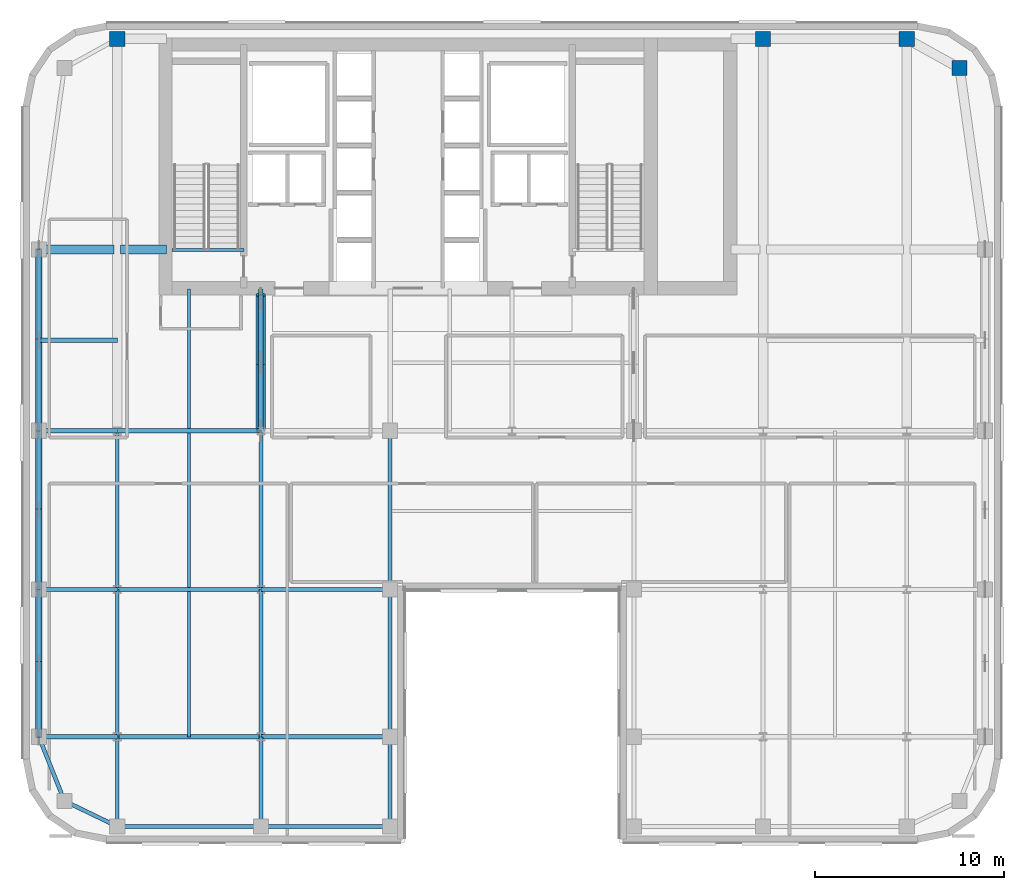
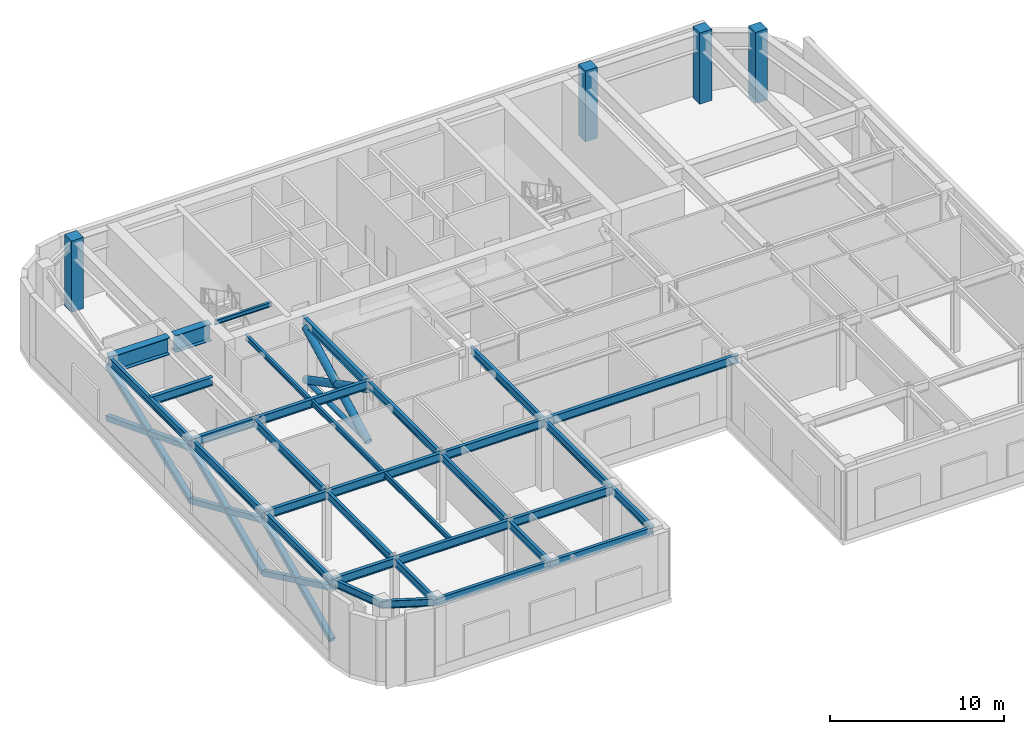
# One storey, part 2 of 12: 33 beams, 13 members, 4 columns.
"""IFC4 building model written with IfcOpenShell, lengths in metres."""

import ifcopenshell
import ifcopenshell.guid

model = None  # the IFC model being written
_history = None  # IfcOwnerHistory: only IFC2X3 demands one
_inside = {}  # id of a spatial element -> (the spatial element, [elements in it])
_under = {}  # id of a project, library or spatial element -> (it, [spatial elements below it])
_declared = {}  # id of a project -> (the project, [libraries it declares])
_typed = {}  # id of a type object -> (the type object, [elements of that type])
_made_of = {}  # id of a material, layer set ... -> (it, [elements and type objects made of it])


def new_model(schema):
    """Start an empty IFC model of exactly this schema.

    Asked for "IFC4X3", IfcOpenShell would pick the latest addendum, in which some entities
    have other attributes; the version numbers below select the first issue.
    IFC2X3 requires an IfcOwnerHistory on every rooted entity: one is made here for all.
    """
    global model, _history
    if schema == "IFC4X3":
        model = ifcopenshell.file(schema_version=(4, 3, 0, 0))
    else:
        model = ifcopenshell.file(schema=schema)
    _inside.clear()
    _under.clear()
    _declared.clear()
    _typed.clear()
    _made_of.clear()
    _history = None
    if model.schema == "IFC2X3":
        org = make("IfcOrganization", Name="unknown")
        user = make(
            "IfcPersonAndOrganization",
            ThePerson=make("IfcPerson", FamilyName="unknown"),
            TheOrganization=org,
        )
        app = make(
            "IfcApplication",
            ApplicationDeveloper=org,
            Version="unknown",
            ApplicationFullName="unknown",
            ApplicationIdentifier="unknown",
        )
        _history = make(
            "IfcOwnerHistory",
            OwningUser=user,
            OwningApplication=app,
            ChangeAction="ADDED",
            CreationDate=0,
        )
    return model


def make(cls, **values):
    """One entity of the class cls with the attributes given. An attribute that is None is left unset."""
    return model.create_entity(
        cls, **{name: value for name, value in values.items() if value is not None}
    )


def rooted(cls, **values):
    """An entity with a GlobalId (a new one), such as an element, a storey or a relation."""
    return make(cls, GlobalId=ifcopenshell.guid.new(), OwnerHistory=_history, **values)


def si_unit(unit_type, name, prefix=None):
    """IfcSIUnit, for example si_unit("LENGTHUNIT", "METRE", prefix="MILLI")."""
    return make("IfcSIUnit", UnitType=unit_type, Prefix=prefix, Name=name)


def assignment(units):
    """IfcUnitAssignment: the units of a project."""
    return None if units is None else make("IfcUnitAssignment", Units=units)


def point(xyz):
    """IfcCartesianPoint."""
    return None if xyz is None else make("IfcCartesianPoint", Coordinates=xyz)


def direction(xyz):
    """IfcDirection."""
    return None if xyz is None else make("IfcDirection", DirectionRatios=xyz)


def frame(location, z_axis=None, x_axis=None):
    """IfcAxis2Placement3D, a coordinate frame: its origin and axes. An axis left out is left unset."""
    return make(
        "IfcAxis2Placement3D",
        Location=point(location),
        Axis=direction(z_axis),
        RefDirection=direction(x_axis),
    )


def frame_2d(location, x_axis=None):
    """IfcAxis2Placement2D, a coordinate frame in the plane: its origin and x axis."""
    return make(
        "IfcAxis2Placement2D", Location=point(location), RefDirection=direction(x_axis)
    )


def origin():
    """The frame at (0, 0, 0) with its axes left unset."""
    return frame((0.0, 0.0, 0.0))


def origin_2d():
    """The frame at (0, 0) in the plane with its x axis left unset."""
    return frame_2d((0.0, 0.0))


def place(relative_to, where):
    """IfcLocalPlacement: puts the frame where relative to a parent placement (None: the world)."""
    return make(
        "IfcLocalPlacement", PlacementRelTo=relative_to, RelativePlacement=where
    )


def context(
    kind, dimensions, precision=None, world=None, true_north=None, identifier=None
):
    """IfcGeometricRepresentationContext, for example the 3D "Model" context."""
    return make(
        "IfcGeometricRepresentationContext",
        ContextIdentifier=identifier,
        ContextType=kind,
        CoordinateSpaceDimension=dimensions,
        Precision=precision,
        WorldCoordinateSystem=world,
        TrueNorth=true_north,
    )


def subcontext(parent, identifier, kind, view, scale=None):
    """IfcGeometricRepresentationSubContext, for example "Body" below "Model"."""
    return make(
        "IfcGeometricRepresentationSubContext",
        ContextIdentifier=identifier,
        ContextType=kind,
        ParentContext=parent,
        TargetScale=scale,
        TargetView=view,
    )


def project(units=None, contexts=None):
    """IfcProject with its units and contexts."""
    return rooted(
        "IfcProject",
        Name="project",
        RepresentationContexts=contexts,
        UnitsInContext=assignment(units),
    )


def spatial(cls, under=None, at=None, **own):
    """A site, building, storey or space (cls), placed at a placement, below another one or the project."""
    s = rooted(cls, ObjectPlacement=at, **own)
    if under is not None:
        _under.setdefault(under.id(), (under, []))[1].append(s)
    return s


def profile(cls, at=None, kind="AREA", **sizes):
    """A parametric profile (cls). Its sizes go by their IFC names, for example OverallWidth=200.0."""
    return make(cls, ProfileType=kind, Position=at, **sizes)


def rectangle(**sizes):
    """IfcRectangleProfileDef."""
    return profile("IfcRectangleProfileDef", **sizes)


def hollow_rectangle(**sizes):
    """IfcRectangleHollowProfileDef."""
    return profile("IfcRectangleHollowProfileDef", **sizes)


def hollow_circle(**sizes):
    """IfcCircleHollowProfileDef."""
    return profile("IfcCircleHollowProfileDef", **sizes)


def i_section(**sizes):
    """IfcIShapeProfileDef."""
    return profile("IfcIShapeProfileDef", **sizes)


def extrude(swept, where, along, depth):
    """IfcExtrudedAreaSolid: the profile swept, set in the frame where, extruded along a direction by depth."""
    return make(
        "IfcExtrudedAreaSolid",
        SweptArea=swept,
        Position=where,
        ExtrudedDirection=direction(along),
        Depth=depth,
    )


def shape(context_of_items, identifier, shape_type, items):
    """IfcShapeRepresentation: the items that make up one representation, for example the "Body"."""
    return make(
        "IfcShapeRepresentation",
        ContextOfItems=context_of_items,
        RepresentationIdentifier=identifier,
        RepresentationType=shape_type,
        Items=items,
    )


def source(mapping_origin, context_of_items, identifier, shape_type, items):
    """IfcRepresentationMap: a shape defined once, which mapped items show again and again."""
    return make(
        "IfcRepresentationMap",
        MappingOrigin=mapping_origin,
        MappedRepresentation=shape(context_of_items, identifier, shape_type, items),
    )


def transform(
    local_origin,
    x_axis=None,
    y_axis=None,
    z_axis=None,
    scale=None,
    scale2=None,
    scale3=None,
    uniform=True,
):
    """IfcCartesianTransformationOperator3D, or its non-uniform kind. x_axis, y_axis, z_axis: its Axis1, 2, 3."""
    if uniform:
        return make(
            "IfcCartesianTransformationOperator3D",
            Axis1=direction(x_axis),
            Axis2=direction(y_axis),
            LocalOrigin=point(local_origin),
            Scale=scale,
            Axis3=direction(z_axis),
        )
    return make(
        "IfcCartesianTransformationOperator3DnonUniform",
        Axis1=direction(x_axis),
        Axis2=direction(y_axis),
        LocalOrigin=point(local_origin),
        Scale=scale,
        Axis3=direction(z_axis),
        Scale2=scale2,
        Scale3=scale3,
    )


def mapped(mapping_source, mapping_target):
    """IfcMappedItem: shows the shape of a source again, moved by a transform."""
    return make(
        "IfcMappedItem", MappingSource=mapping_source, MappingTarget=mapping_target
    )


def material(Name=None, Category=None):
    """IfcMaterial."""
    return make("IfcMaterial", Name=Name, Category=Category)


def material_profile(
    of_material, cross_section, Name=None, Category=None, Priority=None
):
    """IfcMaterialProfile: a cross section and its material."""
    return make(
        "IfcMaterialProfile",
        Name=Name,
        Material=of_material,
        Profile=cross_section,
        Priority=Priority,
        Category=Category,
    )


def profile_set(profiles, Name=None, composite=None):
    """IfcMaterialProfileSet."""
    return make(
        "IfcMaterialProfileSet",
        Name=Name,
        MaterialProfiles=profiles,
        CompositeProfile=composite,
    )


def made_of(thing, what):
    """Note that an element or type object is made of a material, layer set ...; save() writes the relation."""
    if what is not None:
        _made_of.setdefault(what.id(), (what, []))[1].append(thing)
    return thing


def type_object(cls, material=None, **own):
    """A type object (cls), such as IfcWallType, which elements share."""
    return made_of(rooted(cls, **own), material)


def type_shapes(of_type, sources):
    """Give a type object the sources (RepresentationMaps) that its elements show as mapped items."""
    of_type.RepresentationMaps = sources


def element(
    cls,
    number,
    at=None,
    inside=None,
    cuts=None,
    type_object=None,
    material=None,
    context=None,
    identifier="Body",
    shape_type=None,
    held_by="IfcProductDefinitionShape",
    body=None,
    shapes=None,
    **own,
):
    """One element of the class cls, such as IfcWall. Its Tag is "e" and its number.

    at: its placement. inside: the storey or other place that contains it. cuts: it is an
    opening in that element (IfcRelVoidsElement). A single representation is given by context,
    identifier, shape_type and body (its items); several are given by shapes. held_by: the class
    of the entity that holds the representations. save() writes the other relations.
    """
    e = rooted(cls, Tag="e%d" % number, ObjectPlacement=at, **own)
    if body is not None:
        shapes = [shape(context, identifier, shape_type, body)]
    if shapes is not None:
        e.Representation = make(held_by, Representations=shapes)
    if inside is not None:
        _inside.setdefault(inside.id(), (inside, []))[1].append(e)
    if cuts is not None:
        rooted(
            "IfcRelVoidsElement", RelatingBuildingElement=cuts, RelatedOpeningElement=e
        )
    if type_object is not None:
        _typed.setdefault(type_object.id(), (type_object, []))[1].append(e)
    return made_of(e, material)


def aggregate(whole, parts):
    """IfcRelAggregates: a whole, such as a stair, and the parts it consists of."""
    return rooted("IfcRelAggregates", RelatingObject=whole, RelatedObjects=parts)


def save(model, path):
    """Write the relations noted so far, then the file.

    IfcRelAggregates (storeys below a building ...), IfcRelContainedInSpatialStructure (elements
    in a storey), IfcRelDefinesByType, IfcRelAssociatesMaterial and IfcRelDeclares: one each for
    every whole, place, type object, material and project.
    """
    for whole, parts in _under.values():
        aggregate(whole, parts)
    for where, things in _inside.values():
        rooted(
            "IfcRelContainedInSpatialStructure",
            RelatedElements=things,
            RelatingStructure=where,
        )
    for kind, things in _typed.values():
        rooted("IfcRelDefinesByType", RelatedObjects=things, RelatingType=kind)
    for what, things in _made_of.values():
        rooted("IfcRelAssociatesMaterial", RelatedObjects=things, RelatingMaterial=what)
    for by, libraries in _declared.values():
        rooted("IfcRelDeclares", RelatingContext=by, RelatedDefinitions=libraries)
    model.write(path)


model = new_model("IFC4")

# Units and contexts
model_context = context("Model", 3, precision=1e-05, world=origin(), true_north=direction((0.0, 1.0)))
body_context = subcontext(model_context, "Body", "Model", "MODEL_VIEW")
ifc_project = project(units=[si_unit("LENGTHUNIT", "METRE"), si_unit("AREAUNIT", "SQUARE_METRE"), si_unit("VOLUMEUNIT", "CUBIC_METRE"), si_unit("PLANEANGLEUNIT", "RADIAN"), si_unit("MASSUNIT", "GRAM", prefix="KILO")], contexts=[model_context])

# Site, building, storey
site_placement = place(None, origin())
site = spatial("IfcSite", under=ifc_project, at=site_placement, CompositionType="ELEMENT")
building_placement = place(site_placement, origin())
building = spatial("IfcBuilding", under=site, at=building_placement, Name="Tolvann Quenvar Hotel", CompositionType="ELEMENT")
storey_placement = place(building_placement, frame((0.0, 0.0, 182.550048828125)))
storey = spatial("IfcBuildingStorey", under=building, at=storey_placement, Name="L48", CompositionType="ELEMENT", Elevation=182.550048828125)

# Columns
ifc_material_1 = material(Name="Concrete N50 (50 MPa)", Category="concrete")
ifc_material_profile_1 = material_profile(ifc_material_1, rectangle(XDim=0.800048828125, YDim=0.800048828125, at=origin_2d()), Name="RC800x800")
ifc_profile_set_1 = profile_set([ifc_material_profile_1], Name="Concrete N50 (50 MPa)")
column_type = type_object("IfcColumnType", Name="COL_RC800", PredefinedType="COLUMN", material=ifc_profile_set_1)
shared_shape_1 = source(origin(), body_context, "Body", "SweptSolid", [
    extrude(rectangle(XDim=0.800048828125, YDim=0.800048828125, at=origin_2d()), origin(), (0.0, 0.0, 1.0), 5.0),
])
type_shapes(column_type, [shared_shape_1])
for number, where, z_axis, x_axis, name in (
    (1, (7.60009765625, 45.14990234375, 0.0), (0.0, 0.0, 1.0), (1.0, 0.0, 0.0), "Column CN (L48)"),
    (2, (41.800048828125, 45.14990234375, 0.0), (0.0, 0.0, 1.0), (1.0, 0.0, 0.0), "Column HN (L48)"),
    (3, (49.39990234375, 45.14990234375, 0.0), (0.0, 0.0, 1.0), (1.0, 0.0, 0.0), "Column IN (L48)"),
    (4, (52.199951171875, 43.60009765625, 0.0), (0.0, 0.0, 1.0), (1.0, 0.0, 0.0), "Column JN (L48)"),
):
    element("IfcColumn", number, at=place(storey_placement, frame(where, z_axis=z_axis, x_axis=x_axis)), inside=storey, type_object=column_type, Name=name, PredefinedType="COLUMN", context=body_context, shape_type="MappedRepresentation", body=[
        mapped(shared_shape_1, transform((0.0, 0.0, 0.0), x_axis=(1.0, 0.0, 0.0), y_axis=(0.0, 1.0, 0.0), z_axis=(0.0, 0.0, 1.0), scale=1.0)),
    ])

# Beams
ifc_material_2 = material(Name="Steel Grade 350", Category="steel")
ifc_material_profile_2 = material_profile(ifc_material_2, i_section(OverallWidth=0.208984375, OverallDepth=0.528076171875, WebThickness=0.009521484375, FlangeThickness=0.01318359375, FilletRadius=0.013916015625, at=origin_2d()), Name="530UB82")
ifc_profile_set_2 = profile_set([ifc_material_profile_2], Name="Steel Grade 350")
beam_type_1 = type_object("IfcBeamType", Name="BM_SPAND_530UB82", PredefinedType="SPANDREL", material=ifc_profile_set_2)
shared_shape_2 = source(origin(), body_context, "Body", "SweptSolid", [
    extrude(i_section(OverallWidth=0.208984375, OverallDepth=0.528076171875, WebThickness=0.009521484375, FlangeThickness=0.01318359375, FilletRadius=0.013916015625, at=origin_2d()), origin(), (0.0, 0.0, 1.0), 7.599853515625),
])
beam_1_placement = place(storey_placement, frame((7.60009765625, 3.449951171875, 4.555908203125), z_axis=(1.0, 0.0, 0.0), x_axis=(0.0, 1.0, 0.0)))
element("IfcBeam", 5, at=beam_1_placement, inside=storey, type_object=beam_type_1, Name="BM-L48-EW-2-C2-D2", PredefinedType="SPANDREL", context=body_context, shape_type="MappedRepresentation", body=[
    mapped(shared_shape_2, transform((0.0, 0.0, 0.0), x_axis=(1.0, 0.0, 0.0), y_axis=(0.0, 1.0, 0.0), z_axis=(0.0, 0.0, 1.0), scale=1.0)),
])
shared_shape_3 = source(origin(), body_context, "Body", "SweptSolid", [
    extrude(i_section(OverallWidth=0.208984375, OverallDepth=0.528076171875, WebThickness=0.009521484375, FlangeThickness=0.01318359375, FilletRadius=0.013916015625, at=origin_2d()), origin(), (0.0, 0.0, 1.0), 6.85009765625),
])
beam_2_placement = place(storey_placement, frame((15.199951171875, 3.449951171875, 4.555908203125), z_axis=(1.0, 0.0, 0.0), x_axis=(0.0, 1.0, 0.0)))
element("IfcBeam", 6, at=beam_2_placement, inside=storey, type_object=beam_type_1, Name="BM-L48-EW-2-D2-E2", PredefinedType="SPANDREL", context=body_context, shape_type="MappedRepresentation", body=[
    mapped(shared_shape_3, transform((0.0, 0.0, 0.0), x_axis=(1.0, 0.0, 0.0), y_axis=(0.0, 1.0, 0.0), z_axis=(0.0, 0.0, 1.0), scale=1.0)),
])
shared_shape_4 = source(origin(), body_context, "Body", "SweptSolid", [
    extrude(i_section(OverallWidth=0.208984375, OverallDepth=0.528076171875, WebThickness=0.009521484375, FlangeThickness=0.01318359375, FilletRadius=0.013916015625, at=origin_2d()), origin(), (0.0, 0.0, 1.0), 7.800048828125),
])
beam_3_placement = place(storey_placement, frame((3.449951171875, 8.199951171875, 4.555908203125), z_axis=(0.0, 1.0, 0.0), x_axis=(-1.0, 0.0, 0.0)))
element("IfcBeam", 7, at=beam_3_placement, inside=storey, type_object=beam_type_1, Name="BM-L48-NS-B3-B4", PredefinedType="SPANDREL", context=body_context, shape_type="MappedRepresentation", body=[
    mapped(shared_shape_4, transform((0.0, 0.0, 0.0), x_axis=(1.0, 0.0, 0.0), y_axis=(0.0, 1.0, 0.0), z_axis=(0.0, 0.0, 1.0), scale=1.0)),
])
shared_shape_5 = source(origin(), body_context, "Body", "SweptSolid", [
    extrude(i_section(OverallWidth=0.208984375, OverallDepth=0.528076171875, WebThickness=0.009521484375, FlangeThickness=0.01318359375, FilletRadius=0.013916015625, at=origin_2d()), origin(), (0.0, 0.0, 1.0), 8.39990234375),
])
beam_4_placement = place(storey_placement, frame((3.449951171875, 16.0, 4.555908203125), z_axis=(0.0, 1.0, 0.0), x_axis=(-1.0, 0.0, 0.0)))
element("IfcBeam", 8, at=beam_4_placement, inside=storey, type_object=beam_type_1, Name="BM-L48-NS-B4-B5", PredefinedType="SPANDREL", context=body_context, shape_type="MappedRepresentation", body=[
    mapped(shared_shape_5, transform((0.0, 0.0, 0.0), x_axis=(1.0, 0.0, 0.0), y_axis=(0.0, 1.0, 0.0), z_axis=(0.0, 0.0, 1.0), scale=1.0)),
])
ifc_material_profile_3 = material_profile(ifc_material_2, i_section(OverallWidth=0.208984375, OverallDepth=0.532958984375, WebThickness=0.01025390625, FlangeThickness=0.015625, FilletRadius=0.013916015625, at=origin_2d()), Name="530UB92")
ifc_profile_set_3 = profile_set([ifc_material_profile_3], Name="Steel Grade 350")
beam_type_2 = type_object("IfcBeamType", Name="BM_GIRD_530UB92", PredefinedType="BEAM", material=ifc_profile_set_3)
shared_shape_6 = source(origin(), body_context, "Body", "SweptSolid", [
    extrude(i_section(OverallWidth=0.208984375, OverallDepth=0.532958984375, WebThickness=0.01025390625, FlangeThickness=0.015625, FilletRadius=0.013916015625, at=origin_2d()), origin(), (0.0, 0.0, 1.0), 7.800048828125),
])
for number, where, z_axis, x_axis, name in (
    (9, (7.60009765625, 8.199951171875, 4.553466796875), (0.0, 1.0, 0.0), (-1.0, 0.0, 0.0), "BM-L48-NS-C3-C4"),
    (10, (15.199951171875, 8.199951171875, 4.553466796875), (0.0, 1.0, 0.0), (-1.0, 0.0, 0.0), "BM-L48-NS-D3-D4"),
    (11, (22.050048828125, 8.199951171875, 4.553466796875), (0.0, 1.0, 0.0), (-1.0, 0.0, 0.0), "BM-L48-NS-E3-E4"),
):
    element("IfcBeam", number, at=place(storey_placement, frame(where, z_axis=z_axis, x_axis=x_axis)), inside=storey, type_object=beam_type_2, Name=name, PredefinedType="BEAM", context=body_context, shape_type="MappedRepresentation", body=[
        mapped(shared_shape_6, transform((0.0, 0.0, 0.0), x_axis=(1.0, 0.0, 0.0), y_axis=(0.0, 1.0, 0.0), z_axis=(0.0, 0.0, 1.0), scale=1.0)),
    ])
shared_shape_7 = source(origin(), body_context, "Body", "SweptSolid", [
    extrude(i_section(OverallWidth=0.208984375, OverallDepth=0.532958984375, WebThickness=0.01025390625, FlangeThickness=0.015625, FilletRadius=0.013916015625, at=origin_2d()), origin(), (0.0, 0.0, 1.0), 8.39990234375),
])
for number, where, z_axis, x_axis, name in (
    (12, (7.60009765625, 16.0, 4.553466796875), (0.0, 1.0, 0.0), (-1.0, 0.0, 0.0), "BM-L48-NS-C4-C5"),
    (13, (15.199951171875, 16.0, 4.553466796875), (0.0, 1.0, 0.0), (-1.0, 0.0, 0.0), "BM-L48-NS-D4-D5"),
    (14, (22.050048828125, 16.0, 4.553466796875), (0.0, 1.0, 0.0), (-1.0, 0.0, 0.0), "BM-L48-NS-E4-E5"),
):
    element("IfcBeam", number, at=place(storey_placement, frame(where, z_axis=z_axis, x_axis=x_axis)), inside=storey, type_object=beam_type_2, Name=name, PredefinedType="BEAM", context=body_context, shape_type="MappedRepresentation", body=[
        mapped(shared_shape_7, transform((0.0, 0.0, 0.0), x_axis=(1.0, 0.0, 0.0), y_axis=(0.0, 1.0, 0.0), z_axis=(0.0, 0.0, 1.0), scale=1.0)),
    ])
shared_shape_8 = source(origin(), body_context, "Body", "SweptSolid", [
    extrude(i_section(OverallWidth=0.208984375, OverallDepth=0.528076171875, WebThickness=0.009521484375, FlangeThickness=0.01318359375, FilletRadius=0.013916015625, at=origin_2d()), origin(), (0.0, 0.0, 1.0), 9.60009765625),
])
beam_5_placement = place(storey_placement, frame((3.449951171875, 24.39990234375, 4.555908203125), z_axis=(0.0, 1.0, 0.0), x_axis=(-1.0, 0.0, 0.0)))
element("IfcBeam", 15, at=beam_5_placement, inside=storey, type_object=beam_type_1, Name="BM-L48-FLK-W1", PredefinedType="SPANDREL", context=body_context, shape_type="MappedRepresentation", body=[
    mapped(shared_shape_8, transform((0.0, 0.0, 0.0), x_axis=(1.0, 0.0, 0.0), y_axis=(0.0, 1.0, 0.0), z_axis=(0.0, 0.0, 1.0), scale=1.0)),
])
ifc_material_profile_4 = material_profile(ifc_material_2, i_section(OverallWidth=0.5, OverallDepth=1.199951171875, WebThickness=0.01611328125, FlangeThickness=0.0400390625, at=origin_2d()), Name="1200WB455")
ifc_profile_set_4 = profile_set([ifc_material_profile_4], Name="Steel Grade 350")
beam_type_3 = type_object("IfcBeamType", Name="BM_TG_1200WB455", PredefinedType="USERDEFINED", material=ifc_profile_set_4)
shared_shape_9 = source(origin(), body_context, "Body", "SweptSolid", [
    extrude(i_section(OverallWidth=0.5, OverallDepth=1.199951171875, WebThickness=0.01611328125, FlangeThickness=0.0400390625, at=origin_2d()), origin(), (0.0, 0.0, 1.0), 2.419921875),
])
beam_6_placement = place(storey_placement, frame((7.780029296875, 34.0, 4.219970703125), z_axis=(1.0, 0.0, 0.0), x_axis=(0.0, 1.0, 0.0)))
element("IfcBeam", 16, at=beam_6_placement, inside=storey, type_object=beam_type_3, Name="BM-L48-CTW-MID2", ObjectType="TRANSFER GIRDER", PredefinedType="USERDEFINED", context=body_context, shape_type="MappedRepresentation", body=[
    mapped(shared_shape_9, transform((0.0, 0.0, 0.0), x_axis=(1.0, 0.0, 0.0), y_axis=(0.0, 1.0, 0.0), z_axis=(0.0, 0.0, 1.0), scale=1.0)),
])
ifc_material_profile_5 = material_profile(ifc_material_2, i_section(OverallWidth=0.166015625, OverallDepth=0.306884765625, WebThickness=0.006591796875, FlangeThickness=0.01171875, FilletRadius=0.011474609375, at=origin_2d()), Name="310UB46")
ifc_profile_set_5 = profile_set([ifc_material_profile_5], Name="Steel Grade 350")
beam_type_4 = type_object("IfcBeamType", Name="BM_JOIST_310UB46", PredefinedType="JOIST", material=ifc_profile_set_5)
shared_shape_10 = source(origin(), body_context, "Body", "SweptSolid", [
    extrude(i_section(OverallWidth=0.166015625, OverallDepth=0.306884765625, WebThickness=0.006591796875, FlangeThickness=0.01171875, FilletRadius=0.011474609375, at=origin_2d()), origin(), (0.0, 0.0, 1.0), 3.800048828125),
])
type_shapes(beam_type_4, [shared_shape_10])
beam_7_placement = place(storey_placement, frame((10.5, 33.97998046875, 4.66650390625), z_axis=(1.0, 0.0, 0.0), x_axis=(0.0, 1.0, 0.0)))
element("IfcBeam", 17, at=beam_7_placement, inside=storey, type_object=beam_type_4, Name="BM-HDR-STC1-L49", PredefinedType="JOIST", context=body_context, shape_type="MappedRepresentation", body=[
    mapped(shared_shape_10, transform((0.0, 0.0, 0.0), x_axis=(1.0, 0.0, 0.0), y_axis=(0.0, 1.0, 0.0), z_axis=(0.0, 0.0, 1.0), scale=1.0)),
])

# Members
ifc_material_3 = material(Name="Steel Grade 450 (C450L0)", Category="steel")
ifc_material_profile_6 = material_profile(ifc_material_3, hollow_rectangle(XDim=0.35009765625, YDim=0.35009765625, WallThickness=0.01611328125, at=origin_2d()), Name="350x350x16SHS")
ifc_profile_set_6 = profile_set([ifc_material_profile_6], Name="Steel Grade 450 (C450L0)")
member_type_1 = type_object("IfcMemberType", Name="MEM_BELT_350SHS", PredefinedType="BRACE", material=ifc_profile_set_6)
shared_shape_11 = source(origin(), body_context, "Body", "SweptSolid", [
    extrude(hollow_rectangle(XDim=0.35009765625, YDim=0.35009765625, WallThickness=0.01611328125, at=origin_2d()), origin(), (0.0, 0.0, 1.0), 8.6416015625),
])
member_1_placement = place(storey_placement, frame((3.449951171875, 8.199951171875, 0.449951171875), z_axis=(0.0, 0.902606045466, 0.430467567522), x_axis=(-1.0, 0.0, 0.0)))
element("IfcMember", 18, at=member_1_placement, inside=storey, type_object=member_type_1, Name="Belt Truss Primary Brace L48-W1A", PredefinedType="BRACE", context=body_context, shape_type="MappedRepresentation", body=[
    mapped(shared_shape_11, transform((0.0, 0.0, 0.0), x_axis=(1.0, 0.0, 0.0), y_axis=(0.0, 1.0, 0.0), z_axis=(0.0, 0.0, 1.0), scale=1.0)),
])
shared_shape_12 = source(origin(), body_context, "Body", "SweptSolid", [
    extrude(hollow_rectangle(XDim=0.35009765625, YDim=0.35009765625, WallThickness=0.01611328125, at=origin_2d()), origin(), (0.0, 0.0, 1.0), 4.32080078125),
])
for number, where, z_axis, x_axis, name in (
    (19, (3.449951171875, 16.0, 0.449951171875), (0.0, -0.902589832649, 0.430501560971), (1.0, 0.0, 0.0), "Belt Truss Split Brace Lower L48-W1B1"),
    (20, (3.449951171875, 12.10009765625, 2.31005859375), (0.0, -0.90262225657, 0.430433574369), (1.0, 0.0, 0.0), "Belt Truss Split Brace Upper L48-W1B2"),
):
    element("IfcMember", number, at=place(storey_placement, frame(where, z_axis=z_axis, x_axis=x_axis)), inside=storey, type_object=member_type_1, Name=name, PredefinedType="BRACE", context=body_context, shape_type="MappedRepresentation", body=[
        mapped(shared_shape_12, transform((0.0, 0.0, 0.0), x_axis=(1.0, 0.0, 0.0), y_axis=(0.0, 1.0, 0.0), z_axis=(0.0, 0.0, 1.0), scale=1.0)),
    ])
shared_shape_13 = source(origin(), body_context, "Body", "SweptSolid", [
    extrude(hollow_rectangle(XDim=0.35009765625, YDim=0.35009765625, WallThickness=0.01611328125, at=origin_2d()), origin(), (0.0, 0.0, 1.0), 9.186767578125),
])
member_2_placement = place(storey_placement, frame((3.449951171875, 16.0, 0.449951171875), z_axis=(0.0, 0.914348827398, 0.404927427863), x_axis=(-1.0, 0.0, 0.0)))
element("IfcMember", 21, at=member_2_placement, inside=storey, type_object=member_type_1, Name="Belt Truss Primary Brace L48-W2A", PredefinedType="BRACE", context=body_context, shape_type="MappedRepresentation", body=[
    mapped(shared_shape_13, transform((0.0, 0.0, 0.0), x_axis=(1.0, 0.0, 0.0), y_axis=(0.0, 1.0, 0.0), z_axis=(0.0, 0.0, 1.0), scale=1.0)),
])
shared_shape_14 = source(origin(), body_context, "Body", "SweptSolid", [
    extrude(hollow_rectangle(XDim=0.35009765625, YDim=0.35009765625, WallThickness=0.01611328125, at=origin_2d()), origin(), (0.0, 0.0, 1.0), 4.59326171875),
])
member_3_placement = place(storey_placement, frame((3.449951171875, 20.199951171875, 2.31005859375), z_axis=(0.0, -0.914358666594, 0.404905209679), x_axis=(1.0, 0.0, 0.0)))
element("IfcMember", 22, at=member_3_placement, inside=storey, type_object=member_type_1, Name="Belt Truss Split Brace Upper L48-W2B2", PredefinedType="BRACE", context=body_context, shape_type="MappedRepresentation", body=[
    mapped(shared_shape_14, transform((0.0, 0.0, 0.0), x_axis=(1.0, 0.0, 0.0), y_axis=(0.0, 1.0, 0.0), z_axis=(0.0, 0.0, 1.0), scale=1.0)),
])
shared_shape_15 = source(origin(), body_context, "Body", "SweptSolid", [
    extrude(hollow_rectangle(XDim=0.35009765625, YDim=0.35009765625, WallThickness=0.01611328125, at=origin_2d()), origin(), (0.0, 0.0, 1.0), 4.593505859375),
])
member_4_placement = place(storey_placement, frame((3.449951171875, 24.39990234375, 0.449951171875), z_axis=(0.0, -0.914338987874, 0.40494964533), x_axis=(1.0, 0.0, 0.0)))
element("IfcMember", 23, at=member_4_placement, inside=storey, type_object=member_type_1, Name="Belt Truss Split Brace Lower L48-W2B1", PredefinedType="BRACE", context=body_context, shape_type="MappedRepresentation", body=[
    mapped(shared_shape_15, transform((0.0, 0.0, 0.0), x_axis=(1.0, 0.0, 0.0), y_axis=(0.0, 1.0, 0.0), z_axis=(0.0, 0.0, 1.0), scale=1.0)),
])
shared_shape_16 = source(origin(), body_context, "Body", "SweptSolid", [
    extrude(hollow_rectangle(XDim=0.35009765625, YDim=0.35009765625, WallThickness=0.01611328125, at=origin_2d()), origin(), (0.0, 0.0, 1.0), 10.295654296875),
])
member_5_placement = place(storey_placement, frame((3.449951171875, 24.39990234375, 0.449951171875), z_axis=(0.0, 0.932443662189, 0.361315398016), x_axis=(-1.0, 0.0, 0.0)))
element("IfcMember", 24, at=member_5_placement, inside=storey, type_object=member_type_1, Name="Belt Truss Primary Brace L48-W3A", PredefinedType="BRACE", context=body_context, shape_type="MappedRepresentation", body=[
    mapped(shared_shape_16, transform((0.0, 0.0, 0.0), x_axis=(1.0, 0.0, 0.0), y_axis=(0.0, 1.0, 0.0), z_axis=(0.0, 0.0, 1.0), scale=1.0)),
])
shared_shape_17 = source(origin(), body_context, "Body", "SweptSolid", [
    extrude(hollow_rectangle(XDim=0.35009765625, YDim=0.35009765625, WallThickness=0.01611328125, at=origin_2d()), origin(), (0.0, 0.0, 1.0), 5.147705078125),
])
member_6_placement = place(storey_placement, frame((3.449951171875, 29.199951171875, 2.31005859375), z_axis=(0.0, -0.932451651097, 0.361294780431), x_axis=(1.0, 0.0, 0.0)))
element("IfcMember", 25, at=member_6_placement, inside=storey, type_object=member_type_1, Name="Belt Truss Split Brace Upper L48-W3B2", PredefinedType="BRACE", context=body_context, shape_type="MappedRepresentation", body=[
    mapped(shared_shape_17, transform((0.0, 0.0, 0.0), x_axis=(1.0, 0.0, 0.0), y_axis=(0.0, 1.0, 0.0), z_axis=(0.0, 0.0, 1.0), scale=1.0)),
])
shared_shape_18 = source(origin(), body_context, "Body", "SweptSolid", [
    extrude(hollow_rectangle(XDim=0.35009765625, YDim=0.35009765625, WallThickness=0.01611328125, at=origin_2d()), origin(), (0.0, 0.0, 1.0), 5.14794921875),
])
type_shapes(member_type_1, [shared_shape_11, shared_shape_12, shared_shape_13, shared_shape_14, shared_shape_15, shared_shape_16, shared_shape_17, shared_shape_18])
member_7_placement = place(storey_placement, frame((3.449951171875, 34.0, 0.449951171875), z_axis=(0.0, -0.932435672962, 0.36133601507), x_axis=(1.0, 0.0, 0.0)))
element("IfcMember", 26, at=member_7_placement, inside=storey, type_object=member_type_1, Name="Belt Truss Split Brace Lower L48-W3B1", PredefinedType="BRACE", context=body_context, shape_type="MappedRepresentation", body=[
    mapped(shared_shape_18, transform((0.0, 0.0, 0.0), x_axis=(1.0, 0.0, 0.0), y_axis=(0.0, 1.0, 0.0), z_axis=(0.0, 0.0, 1.0), scale=1.0)),
])

# Beams
shared_shape_19 = source(origin(), body_context, "Body", "SweptSolid", [
    extrude(i_section(OverallWidth=0.5, OverallDepth=1.199951171875, WebThickness=0.01611328125, FlangeThickness=0.0400390625, at=origin_2d()), origin(), (0.0, 0.0, 1.0), 3.969970703125),
])
type_shapes(beam_type_3, [shared_shape_9, shared_shape_19])
beam_8_placement = place(storey_placement, frame((3.449951171875, 34.0, 4.219970703125), z_axis=(1.0, 0.0, 0.0), x_axis=(0.0, 1.0, 0.0)))
element("IfcBeam", 27, at=beam_8_placement, inside=storey, type_object=beam_type_3, Name="BM-L48-CTW-MID1", ObjectType="TRANSFER GIRDER", PredefinedType="USERDEFINED", context=body_context, shape_type="MappedRepresentation", body=[
    mapped(shared_shape_19, transform((0.0, 0.0, 0.0), x_axis=(1.0, 0.0, 0.0), y_axis=(0.0, 1.0, 0.0), z_axis=(0.0, 0.0, 1.0), scale=1.0)),
])
shared_shape_20 = source(origin(), body_context, "Body", "SweptSolid", [
    extrude(i_section(OverallWidth=0.208984375, OverallDepth=0.528076171875, WebThickness=0.009521484375, FlangeThickness=0.01318359375, FilletRadius=0.013916015625, at=origin_2d()), origin(), (0.0, 0.0, 1.0), 3.108642578125),
])
beam_9_placement = place(storey_placement, frame((4.800048828125, 4.800048828125, 4.555908203125), z_axis=(0.900759354066, -0.434318530646, 0.0), x_axis=(0.434318530646, 0.900759354066, 0.0)))
element("IfcBeam", 28, at=beam_9_placement, inside=storey, type_object=beam_type_1, Name="BM-L48-EW-2-B2-C2", PredefinedType="SPANDREL", context=body_context, shape_type="MappedRepresentation", body=[
    mapped(shared_shape_20, transform((0.0, 0.0, 0.0), x_axis=(1.0, 0.0, 0.0), y_axis=(0.0, 1.0, 0.0), z_axis=(0.0, 0.0, 1.0), scale=1.0)),
])
ifc_material_profile_7 = material_profile(ifc_material_2, i_section(OverallWidth=0.22802734375, OverallDepth=0.60205078125, WebThickness=0.010498046875, FlangeThickness=0.014892578125, FilletRadius=0.013916015625, at=origin_2d()), Name="610UB101")
ifc_profile_set_7 = profile_set([ifc_material_profile_7], Name="Steel Grade 350")
beam_type_5 = type_object("IfcBeamType", Name="BM_GIRD_610UB101", PredefinedType="BEAM", material=ifc_profile_set_7)
shared_shape_21 = source(origin(), body_context, "Body", "SweptSolid", [
    extrude(i_section(OverallWidth=0.22802734375, OverallDepth=0.60205078125, WebThickness=0.010498046875, FlangeThickness=0.014892578125, FilletRadius=0.013916015625, at=origin_2d()), origin(), (0.0, 0.0, 1.0), 4.150146484375),
])
for number, where, z_axis, x_axis, name in (
    (29, (3.449951171875, 8.199951171875, 4.51904296875), (1.0, 0.0, 0.0), (0.0, 1.0, 0.0), "BM-L48-EW-3-B3-C3"),
    (30, (3.449951171875, 16.0, 4.51904296875), (1.0, 0.0, 0.0), (0.0, 1.0, 0.0), "BM-L48-EW-4-B4-C4"),
    (31, (3.449951171875, 24.39990234375, 4.51904296875), (1.0, 0.0, 0.0), (0.0, 1.0, 0.0), "BM-L48-EW-5-B5-C5"),
    (32, (3.449951171875, 29.199951171875, 4.51904296875), (1.0, 0.0, 0.0), (0.0, 1.0, 0.0), "BM-L48-EW-BC29"),
):
    element("IfcBeam", number, at=place(storey_placement, frame(where, z_axis=z_axis, x_axis=x_axis)), inside=storey, type_object=beam_type_5, Name=name, PredefinedType="BEAM", context=body_context, shape_type="MappedRepresentation", body=[
        mapped(shared_shape_21, transform((0.0, 0.0, 0.0), x_axis=(1.0, 0.0, 0.0), y_axis=(0.0, 1.0, 0.0), z_axis=(0.0, 0.0, 1.0), scale=1.0)),
    ])
shared_shape_22 = source(origin(), body_context, "Body", "SweptSolid", [
    extrude(i_section(OverallWidth=0.22802734375, OverallDepth=0.60205078125, WebThickness=0.010498046875, FlangeThickness=0.014892578125, FilletRadius=0.013916015625, at=origin_2d()), origin(), (0.0, 0.0, 1.0), 7.599853515625),
])
for number, where, z_axis, x_axis, name in (
    (33, (7.60009765625, 8.199951171875, 4.51904296875), (1.0, 0.0, 0.0), (0.0, 1.0, 0.0), "BM-L48-EW-3-C3-D3"),
    (34, (7.60009765625, 16.0, 4.51904296875), (1.0, 0.0, 0.0), (0.0, 1.0, 0.0), "BM-L48-EW-4-C4-D4"),
    (35, (7.60009765625, 24.39990234375, 4.51904296875), (1.0, 0.0, 0.0), (0.0, 1.0, 0.0), "BM-L48-EW-5-C5-D5"),
):
    element("IfcBeam", number, at=place(storey_placement, frame(where, z_axis=z_axis, x_axis=x_axis)), inside=storey, type_object=beam_type_5, Name=name, PredefinedType="BEAM", context=body_context, shape_type="MappedRepresentation", body=[
        mapped(shared_shape_22, transform((0.0, 0.0, 0.0), x_axis=(1.0, 0.0, 0.0), y_axis=(0.0, 1.0, 0.0), z_axis=(0.0, 0.0, 1.0), scale=1.0)),
    ])
shared_shape_23 = source(origin(), body_context, "Body", "SweptSolid", [
    extrude(i_section(OverallWidth=0.22802734375, OverallDepth=0.60205078125, WebThickness=0.010498046875, FlangeThickness=0.014892578125, FilletRadius=0.013916015625, at=origin_2d()), origin(), (0.0, 0.0, 1.0), 6.85009765625),
])
for number, where, z_axis, x_axis, name in (
    (36, (15.199951171875, 8.199951171875, 4.51904296875), (1.0, 0.0, 0.0), (0.0, 1.0, 0.0), "BM-L48-EW-3-D3-E3"),
    (37, (15.199951171875, 16.0, 4.51904296875), (1.0, 0.0, 0.0), (0.0, 1.0, 0.0), "BM-L48-EW-4-D4-E4"),
):
    element("IfcBeam", number, at=place(storey_placement, frame(where, z_axis=z_axis, x_axis=x_axis)), inside=storey, type_object=beam_type_5, Name=name, PredefinedType="BEAM", context=body_context, shape_type="MappedRepresentation", body=[
        mapped(shared_shape_23, transform((0.0, 0.0, 0.0), x_axis=(1.0, 0.0, 0.0), y_axis=(0.0, 1.0, 0.0), z_axis=(0.0, 0.0, 1.0), scale=1.0)),
    ])
shared_shape_24 = source(origin(), body_context, "Body", "SweptSolid", [
    extrude(i_section(OverallWidth=0.22802734375, OverallDepth=0.60205078125, WebThickness=0.010498046875, FlangeThickness=0.014892578125, FilletRadius=0.013916015625, at=origin_2d()), origin(), (0.0, 0.0, 1.0), 12.89990234375),
])
beam_10_placement = place(storey_placement, frame((22.050048828125, 16.0, 4.51904296875), z_axis=(1.0, 0.0, 0.0), x_axis=(0.0, 1.0, 0.0)))
element("IfcBeam", 38, at=beam_10_placement, inside=storey, type_object=beam_type_5, Name="BM-L48-EW-4-E4-F4", PredefinedType="BEAM", context=body_context, shape_type="MappedRepresentation", body=[
    mapped(shared_shape_24, transform((0.0, 0.0, 0.0), x_axis=(1.0, 0.0, 0.0), y_axis=(0.0, 1.0, 0.0), z_axis=(0.0, 0.0, 1.0), scale=1.0)),
])
shared_shape_25 = source(origin(), body_context, "Body", "SweptSolid", [
    extrude(i_section(OverallWidth=0.208984375, OverallDepth=0.528076171875, WebThickness=0.009521484375, FlangeThickness=0.01318359375, FilletRadius=0.013916015625, at=origin_2d()), origin(), (0.0, 0.0, 1.0), 3.658203125),
])
type_shapes(beam_type_1, [shared_shape_2, shared_shape_3, shared_shape_4, shared_shape_5, shared_shape_8, shared_shape_20, shared_shape_25])
beam_11_placement = place(storey_placement, frame((4.800048828125, 4.800048828125, 4.555908203125), z_axis=(-0.369065163807, 0.929403521009, 0.0), x_axis=(-0.929403521009, -0.369065163807, 0.0)))
element("IfcBeam", 39, at=beam_11_placement, inside=storey, type_object=beam_type_1, Name="BM-L48-NS-B2-B3", PredefinedType="SPANDREL", context=body_context, shape_type="MappedRepresentation", body=[
    mapped(shared_shape_25, transform((0.0, 0.0, 0.0), x_axis=(1.0, 0.0, 0.0), y_axis=(0.0, 1.0, 0.0), z_axis=(0.0, 0.0, 1.0), scale=1.0)),
])
shared_shape_26 = source(origin(), body_context, "Body", "SweptSolid", [
    extrude(i_section(OverallWidth=0.208984375, OverallDepth=0.532958984375, WebThickness=0.01025390625, FlangeThickness=0.015625, FilletRadius=0.013916015625, at=origin_2d()), origin(), (0.0, 0.0, 1.0), 4.75),
])
type_shapes(beam_type_2, [shared_shape_6, shared_shape_7, shared_shape_26])
for number, where, z_axis, x_axis, name in (
    (40, (7.60009765625, 3.449951171875, 4.553466796875), (0.0, 1.0, 0.0), (-1.0, 0.0, 0.0), "BM-L48-NS-C2-C3"),
    (41, (15.199951171875, 3.449951171875, 4.553466796875), (0.0, 1.0, 0.0), (-1.0, 0.0, 0.0), "BM-L48-NS-D2-D3"),
    (42, (22.050048828125, 3.449951171875, 4.553466796875), (0.0, 1.0, 0.0), (-1.0, 0.0, 0.0), "BM-L48-NS-E2-E3"),
):
    element("IfcBeam", number, at=place(storey_placement, frame(where, z_axis=z_axis, x_axis=x_axis)), inside=storey, type_object=beam_type_2, Name=name, PredefinedType="BEAM", context=body_context, shape_type="MappedRepresentation", body=[
        mapped(shared_shape_26, transform((0.0, 0.0, 0.0), x_axis=(1.0, 0.0, 0.0), y_axis=(0.0, 1.0, 0.0), z_axis=(0.0, 0.0, 1.0), scale=1.0)),
    ])
shared_shape_27 = source(origin(), body_context, "Body", "SweptSolid", [
    extrude(i_section(OverallWidth=0.22802734375, OverallDepth=0.60205078125, WebThickness=0.010498046875, FlangeThickness=0.014892578125, FilletRadius=0.013916015625, at=origin_2d()), origin(), (0.0, 0.0, 1.0), 7.5),
])
type_shapes(beam_type_5, [shared_shape_21, shared_shape_22, shared_shape_23, shared_shape_24, shared_shape_27])
beam_12_placement = place(storey_placement, frame((15.199951171875, 24.39990234375, 4.51904296875), z_axis=(0.0, 1.0, 0.0), x_axis=(-1.0, 0.0, 0.0)))
element("IfcBeam", 43, at=beam_12_placement, inside=storey, type_object=beam_type_5, Name="BM-L48-CORE-D5", PredefinedType="BEAM", context=body_context, shape_type="MappedRepresentation", body=[
    mapped(shared_shape_27, transform((0.0, 0.0, 0.0), x_axis=(1.0, 0.0, 0.0), y_axis=(0.0, 1.0, 0.0), z_axis=(0.0, 0.0, 1.0), scale=1.0)),
])
ifc_material_profile_8 = material_profile(ifc_material_2, i_section(OverallWidth=0.172119140625, OverallDepth=0.35888671875, WebThickness=0.008056640625, FlangeThickness=0.012939453125, FilletRadius=0.011474609375, at=origin_2d()), Name="360UB57")
ifc_profile_set_8 = profile_set([ifc_material_profile_8], Name="Steel Grade 350")
beam_type_6 = type_object("IfcBeamType", Name="BM_JOIST_360UB57", PredefinedType="JOIST", material=ifc_profile_set_8)
shared_shape_28 = source(origin(), body_context, "Body", "SweptSolid", [
    extrude(i_section(OverallWidth=0.172119140625, OverallDepth=0.35888671875, WebThickness=0.008056640625, FlangeThickness=0.012939453125, FilletRadius=0.011474609375, at=origin_2d()), origin(), (0.0, 0.0, 1.0), 7.692138671875),
])
beam_13_placement = place(storey_placement, frame((11.39990234375, 8.199951171875, 4.640380859375), z_axis=(0.0, 1.0, 0.0), x_axis=(-1.0, 0.0, 0.0)))
element("IfcBeam", 44, at=beam_13_placement, inside=storey, type_object=beam_type_6, Name="BJ-L48-114-82", PredefinedType="JOIST", context=body_context, shape_type="MappedRepresentation", body=[
    mapped(shared_shape_28, transform((0.0, 0.0, 0.0), x_axis=(1.0, 0.0, 0.0), y_axis=(0.0, 1.0, 0.0), z_axis=(0.0, 0.0, 1.0), scale=1.0)),
])
shared_shape_29 = source(origin(), body_context, "Body", "SweptSolid", [
    extrude(i_section(OverallWidth=0.172119140625, OverallDepth=0.35888671875, WebThickness=0.008056640625, FlangeThickness=0.012939453125, FilletRadius=0.011474609375, at=origin_2d()), origin(), (0.0, 0.0, 1.0), 8.18408203125),
])
beam_14_placement = place(storey_placement, frame((11.39990234375, 16.10791015625, 4.640380859375), z_axis=(0.0, 1.0, 0.0), x_axis=(-1.0, 0.0, 0.0)))
element("IfcBeam", 45, at=beam_14_placement, inside=storey, type_object=beam_type_6, Name="BJ-L48-114-160", PredefinedType="JOIST", context=body_context, shape_type="MappedRepresentation", body=[
    mapped(shared_shape_29, transform((0.0, 0.0, 0.0), x_axis=(1.0, 0.0, 0.0), y_axis=(0.0, 1.0, 0.0), z_axis=(0.0, 0.0, 1.0), scale=1.0)),
])
shared_shape_30 = source(origin(), body_context, "Body", "SweptSolid", [
    extrude(i_section(OverallWidth=0.172119140625, OverallDepth=0.35888671875, WebThickness=0.008056640625, FlangeThickness=0.012939453125, FilletRadius=0.011474609375, at=origin_2d()), origin(), (0.0, 0.0, 1.0), 7.391845703125),
])
type_shapes(beam_type_6, [shared_shape_28, shared_shape_29, shared_shape_30])
beam_15_placement = place(storey_placement, frame((11.39990234375, 24.508056640625, 4.640380859375), z_axis=(0.0, 1.0, 0.0), x_axis=(-1.0, 0.0, 0.0)))
element("IfcBeam", 46, at=beam_15_placement, inside=storey, type_object=beam_type_6, Name="BJ-L48-114-244", PredefinedType="JOIST", context=body_context, shape_type="MappedRepresentation", body=[
    mapped(shared_shape_30, transform((0.0, 0.0, 0.0), x_axis=(1.0, 0.0, 0.0), y_axis=(0.0, 1.0, 0.0), z_axis=(0.0, 0.0, 1.0), scale=1.0)),
])

# Members
ifc_material_profile_9 = material_profile(ifc_material_3, hollow_circle(Radius=0.25390625, WallThickness=0.01611328125, at=origin_2d()), Name="508x16CHS")
ifc_profile_set_9 = profile_set([ifc_material_profile_9], Name="Steel Grade 450 (C450L0)")
member_type_2 = type_object("IfcMemberType", Name="MEM_DIAG_508CHS", PredefinedType="BRACE", material=ifc_profile_set_9)
shared_shape_31 = source(origin(), body_context, "Body", "SweptSolid", [
    extrude(hollow_circle(Radius=0.25390625, WallThickness=0.01611328125, at=origin_2d()), origin(), (0.0, 0.0, 1.0), 8.1044921875),
])
member_8_placement = place(storey_placement, frame((15.199951171875, 31.60009765625, 0.449951171875), z_axis=(0.0, -0.888432458735, 0.4590073706), x_axis=(1.0, 0.0, 0.0)))
element("IfcMember", 47, at=member_8_placement, inside=storey, type_object=member_type_2, Name="Outrigger Truss Primary Diagonal L48-1A", PredefinedType="BRACE", context=body_context, shape_type="MappedRepresentation", body=[
    mapped(shared_shape_31, transform((0.0, 0.0, 0.0), x_axis=(1.0, 0.0, 0.0), y_axis=(0.0, 1.0, 0.0), z_axis=(0.0, 0.0, 1.0), scale=1.0)),
])
shared_shape_32 = source(origin(), body_context, "Body", "SweptSolid", [
    extrude(hollow_circle(Radius=0.25390625, WallThickness=0.01611328125, at=origin_2d()), origin(), (0.0, 0.0, 1.0), 4.05224609375),
])
type_shapes(member_type_2, [shared_shape_31, shared_shape_32])
for number, where, z_axis, x_axis, name in (
    (48, (15.199951171875, 24.39990234375, 0.449951171875), (0.0, 0.888420173895, 0.459031147763), (-1.0, 0.0, 0.0), "Outrigger Truss Split Diagonal Lower L48-1B1"),
    (49, (15.199951171875, 28.0, 2.31005859375), (0.0, 0.888444743279, 0.458983592452), (-1.0, 0.0, 0.0), "Outrigger Truss Split Diagonal Upper L48-1B2"),
):
    element("IfcMember", number, at=place(storey_placement, frame(where, z_axis=z_axis, x_axis=x_axis)), inside=storey, type_object=member_type_2, Name=name, PredefinedType="BRACE", context=body_context, shape_type="MappedRepresentation", body=[
        mapped(shared_shape_32, transform((0.0, 0.0, 0.0), x_axis=(1.0, 0.0, 0.0), y_axis=(0.0, 1.0, 0.0), z_axis=(0.0, 0.0, 1.0), scale=1.0)),
    ])
ifc_material_profile_10 = material_profile(ifc_material_3, hollow_circle(Radius=0.161865234375, WallThickness=0.010009765625, at=origin_2d()), Name="323.9x10CHS")
ifc_profile_set_10 = profile_set([ifc_material_profile_10], Name="Steel Grade 450 (C450L0)")
member_type_3 = type_object("IfcMemberType", Name="MEM_CHORD_324CHS", PredefinedType="CHORD", material=ifc_profile_set_10)
shared_shape_33 = source(origin(), body_context, "Body", "SweptSolid", [
    extrude(hollow_circle(Radius=0.161865234375, WallThickness=0.010009765625, at=origin_2d()), origin(), (0.0, 0.0, 1.0), 7.2001953125),
])
type_shapes(member_type_3, [shared_shape_33])
member_9_placement = place(storey_placement, frame((15.199951171875, 24.39990234375, 0.449951171875), z_axis=(0.0, 1.0, 0.0), x_axis=(-1.0, 0.0, 0.0)))
element("IfcMember", 50, at=member_9_placement, inside=storey, type_object=member_type_3, Name="Outrigger Bottom Chord L48-1", PredefinedType="CHORD", context=body_context, shape_type="MappedRepresentation", body=[
    mapped(shared_shape_33, transform((0.0, 0.0, 0.0), x_axis=(1.0, 0.0, 0.0), y_axis=(0.0, 1.0, 0.0), z_axis=(0.0, 0.0, 1.0), scale=1.0)),
])

save(model, "model.ifc")
